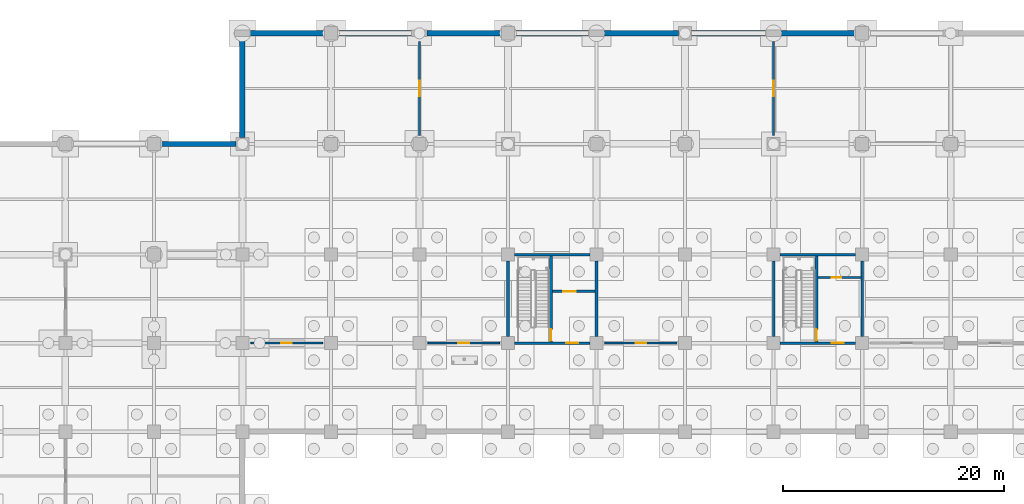
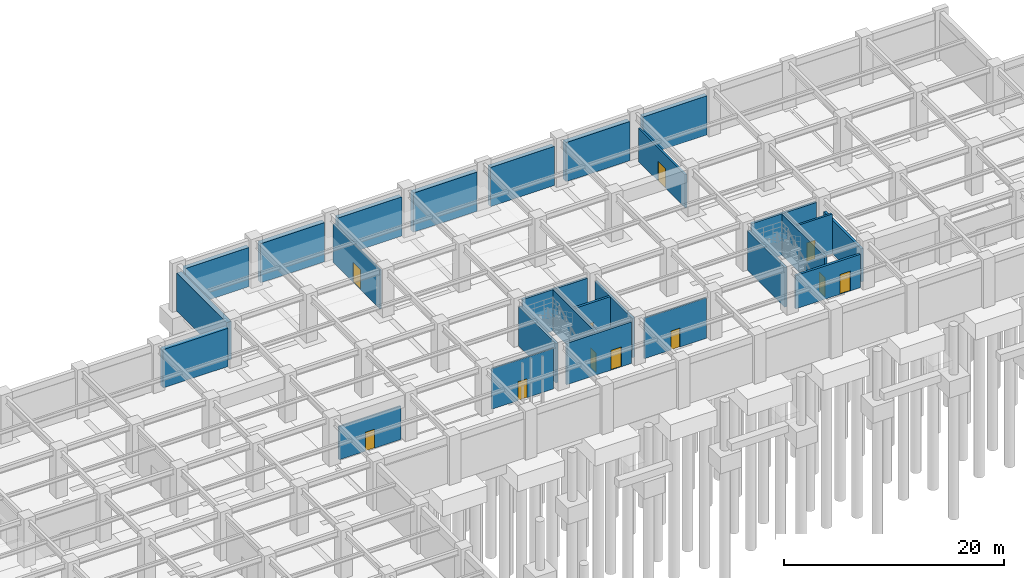
# One storey, part 81 of 97: 26 walls, 11 doors, 11 openings.
"""IFC4 building model written with IfcOpenShell, lengths in metres."""

from ifc_helpers import new_model, si_unit, direction, frame, frame_2d, origin, place, context, subcontext, project, spatial, rectangle, extrude, material, layer, layer_set, type_object, element, fill, save


model = new_model("IFC4")

# Units and contexts
model_context = context("Model", 3, precision=1e-05, world=origin(), true_north=direction((0.0, 1.0)))
body_context = subcontext(model_context, "Body", "Model", "MODEL_VIEW")
ifc_project = project(units=[si_unit("LENGTHUNIT", "METRE"), si_unit("AREAUNIT", "SQUARE_METRE"), si_unit("VOLUMEUNIT", "CUBIC_METRE"), si_unit("PLANEANGLEUNIT", "RADIAN"), si_unit("MASSUNIT", "GRAM", prefix="KILO")], contexts=[model_context])

# Site, building, storey
site_placement = place(None, origin())
site = spatial("IfcSite", under=ifc_project, at=site_placement, CompositionType="ELEMENT")
building_placement = place(site_placement, origin())
building = spatial("IfcBuilding", under=site, at=building_placement, Name="Haebicheon Civic Stadium", CompositionType="ELEMENT")
storey_placement = place(building_placement, frame((0.0, 0.0, -5.39990234375)))
storey = spatial("IfcBuildingStorey", under=building, at=storey_placement, Name="B1", CompositionType="ELEMENT", Elevation=-5.39990234375)

# Wall, opening, door
ifc_material_1 = material(Name="Concrete C40/50", Category="concrete")
ifc_layer_1 = layer(ifc_material_1, 0.239990234375, Name="Concrete C40/50")
ifc_layer_set_1 = layer_set([ifc_layer_1], Name="Concrete C40/50")
wall_type_1 = type_object("IfcWallType", Name="CW-SHR-240", PredefinedType="SHEAR", material=ifc_layer_set_1)
wall_1_placement = place(storey_placement, frame((88.60009765625, 160.0, 0.0), z_axis=(0.0, 0.0, 1.0), x_axis=(1.0, 0.0, 0.0)))
wall_1 = element("IfcWall", 1, at=wall_1_placement, inside=storey, type_object=wall_type_1, material=ifc_layer_set_1, Name="KC-08 B1 south core shear wall", PredefinedType="SHEAR", context=body_context, shape_type="SweptSolid", body=[
    extrude(rectangle(XDim=6.7998046875, YDim=0.239990234375, at=frame_2d((3.39990234375, 0.0))), origin(), (0.0, 0.0, 1.0), 4.58984375),
])
opening_1_placement = place(wall_1_placement, frame((4.64990234375, 0.0, 0.0)))
opening_1 = element("IfcOpeningElement", 2, at=opening_1_placement, cuts=wall_1, Name="Opening D-B1-KC-08-LOB", PredefinedType="OPENING", context=body_context, shape_type="SweptSolid", body=[
    extrude(rectangle(XDim=1.10009765625, YDim=2.199951171875, at=frame_2d((0.550048828125, 1.10009765625))), frame((0.0, 0.1298828125, 0.0), z_axis=(0.0, -1.0, 0.0), x_axis=(1.0, 0.0, 0.0)), (0.0, 0.0, 1.0), 0.260009765625),
])
ifc_material_2 = material(Name="Galvanised painted steel SM355", Category="steel")
door_type_1 = type_object("IfcDoorType", Name="ID-FD-1100", OperationType="NOTDEFINED", PredefinedType="DOOR", material=ifc_material_2)
door_1_placement = place(opening_1_placement, origin())
door_1 = element("IfcDoor", 3, at=door_1_placement, inside=storey, type_object=door_type_1, material=ifc_material_2, Name="B1 KC-08 lobby fire door", OperationType="SINGLE_SWING_RIGHT", OverallHeight=2.199951171875, OverallWidth=1.10009765625, PredefinedType="DOOR", context=body_context, shape_type="SweptSolid", body=[
    extrude(rectangle(XDim=1.10009765625, YDim=2.199951171875, at=frame_2d((0.550048828125, 1.10009765625))), frame((0.0, 0.02490234375, 0.0), z_axis=(0.0, -1.0, 0.0), x_axis=(1.0, 0.0, 0.0)), (0.0, 0.0, 1.0), 0.050048828125),
])
fill(opening_1, door_1)

# Walls
wall_2_placement = place(storey_placement, frame((88.60009765625, 168.0, 0.0), z_axis=(0.0, 0.0, 1.0), x_axis=(1.0, 0.0, 0.0)))
element("IfcWall", 4, at=wall_2_placement, inside=storey, type_object=wall_type_1, material=ifc_layer_set_1, Name="KC-08 B1 north core shear wall", PredefinedType="SHEAR", context=body_context, shape_type="SweptSolid", body=[
    extrude(rectangle(XDim=6.7998046875, YDim=0.239990234375, at=frame_2d((3.39990234375, 0.0))), origin(), (0.0, 0.0, 1.0), 4.58984375),
])
for number, where, z_axis, x_axis, name in (
    (5, (88.0, 160.60009765625, 0.0), (0.0, 0.0, 1.0), (0.0, 1.0, 0.0), "KC-08 B1 west core shear wall"),
    (6, (96.0, 160.60009765625, 0.0), (0.0, 0.0, 1.0), (0.0, 1.0, 0.0), "KC-08 B1 east core shear wall"),
):
    element("IfcWall", number, at=place(storey_placement, frame(where, z_axis=z_axis, x_axis=x_axis)), inside=storey, type_object=wall_type_1, material=ifc_layer_set_1, Name=name, PredefinedType="SHEAR", context=body_context, shape_type="SweptSolid", body=[
        extrude(rectangle(XDim=6.7998046875, YDim=0.239990234375, at=frame_2d((3.39990234375, 0.0))), origin(), (0.0, 0.0, 1.0), 4.389892578125),
    ])

# Wall, opening, door
wall_3_placement = place(storey_placement, frame((91.8798828125, 160.1201171875, 0.0), z_axis=(0.0, 0.0, 1.0), x_axis=(0.0, 1.0, 0.0)))
wall_3 = element("IfcWall", 7, at=wall_3_placement, inside=storey, type_object=wall_type_1, material=ifc_layer_set_1, Name="KC-08 B1 stair-lobby dividing shear wall", PredefinedType="SHEAR", context=body_context, shape_type="SweptSolid", body=[
    extrude(rectangle(XDim=7.759765625, YDim=0.239990234375, at=frame_2d((3.8798828125, 0.0))), origin(), (0.0, 0.0, 1.0), 4.58984375),
])
opening_2_placement = place(wall_3_placement, frame((0.080078125, 0.0, 0.0)))
opening_2 = element("IfcOpeningElement", 8, at=opening_2_placement, cuts=wall_3, Name="Opening D-B1-KC-08-STR", PredefinedType="OPENING", context=body_context, shape_type="SweptSolid", body=[
    extrude(rectangle(XDim=1.050048828125, YDim=2.14990234375, at=frame_2d((0.52490234375, 1.074951171875))), frame((0.0, 0.1298828125, 0.0), z_axis=(0.0, -1.0, 0.0), x_axis=(1.0, 0.0, 0.0)), (0.0, 0.0, 1.0), 0.260009765625),
])
ifc_material_3 = material(Name="Galvanised painted steel SM355", Category="steel")
door_type_2 = type_object("IfcDoorType", Name="ID-FD-1050", OperationType="NOTDEFINED", PredefinedType="DOOR", material=ifc_material_3)
door_2_placement = place(opening_2_placement, origin())
door_2 = element("IfcDoor", 9, at=door_2_placement, inside=storey, type_object=door_type_2, material=ifc_material_3, Name="B1 ST-08 stairwell escape door", OperationType="SINGLE_SWING_LEFT", OverallHeight=2.14990234375, OverallWidth=1.050048828125, PredefinedType="DOOR", context=body_context, shape_type="SweptSolid", body=[
    extrude(rectangle(XDim=1.050048828125, YDim=2.14990234375, at=frame_2d((0.52490234375, 1.074951171875))), frame((0.0, 0.02490234375, 0.0), z_axis=(0.0, -1.0, 0.0), x_axis=(1.0, 0.0, 0.0)), (0.0, 0.0, 1.0), 0.050048828125),
])
fill(opening_2, door_2)

wall_4_placement = place(storey_placement, frame((92.0, 164.679931640625, 0.0), z_axis=(0.0, 0.0, 1.0), x_axis=(1.0, 0.0, 0.0)))
wall_4 = element("IfcWall", 10, at=wall_4_placement, inside=storey, type_object=wall_type_1, material=ifc_layer_set_1, Name="KC-08 B1 lift shaft front wall", PredefinedType="SHEAR", context=body_context, shape_type="SweptSolid", body=[
    extrude(rectangle(XDim=3.8798828125, YDim=0.239990234375, at=frame_2d((1.93994140625, 0.0))), origin(), (0.0, 0.0, 1.0), 4.389892578125),
])
opening_3_placement = place(wall_4_placement, frame((1.0, 0.0, 0.0)))
opening_3 = element("IfcOpeningElement", 11, at=opening_3_placement, cuts=wall_4, Name="Opening LD-06-B1", PredefinedType="OPENING", context=body_context, shape_type="SweptSolid", body=[
    extrude(rectangle(XDim=1.10009765625, YDim=2.14990234375, at=frame_2d((0.550048828125, 1.074951171875))), frame((0.0, 0.1298828125, 0.0), z_axis=(0.0, -1.0, 0.0), x_axis=(1.0, 0.0, 0.0)), (0.0, 0.0, 1.0), 0.260009765625),
])
ifc_material_4 = material(Name="Stainless steel 316", Category="steel")
door_type_3 = type_object("IfcDoorType", Name="ID-LD-1100", OperationType="NOTDEFINED", PredefinedType="DOOR", material=ifc_material_4)
door_3_placement = place(opening_3_placement, origin())
door_3 = element("IfcDoor", 12, at=door_3_placement, inside=storey, type_object=door_type_3, material=ifc_material_4, Name="LF-06 lift landing sliding door B1", OperationType="SLIDING_TO_LEFT", OverallHeight=2.14990234375, OverallWidth=1.10009765625, PredefinedType="DOOR", context=body_context, shape_type="SweptSolid", body=[
    extrude(rectangle(XDim=1.10009765625, YDim=2.14990234375, at=frame_2d((0.550048828125, 1.074951171875))), frame((0.0, 0.02490234375, 0.0), z_axis=(0.0, -1.0, 0.0), x_axis=(1.0, 0.0, 0.0)), (0.0, 0.0, 1.0), 0.050048828125),
])
fill(opening_3, door_3)

wall_5_placement = place(storey_placement, frame((112.60009765625, 160.0, 0.0), z_axis=(0.0, 0.0, 1.0), x_axis=(1.0, 0.0, 0.0)))
wall_5 = element("IfcWall", 13, at=wall_5_placement, inside=storey, type_object=wall_type_1, material=ifc_layer_set_1, Name="KC-09 B1 south core shear wall", PredefinedType="SHEAR", context=body_context, shape_type="SweptSolid", body=[
    extrude(rectangle(XDim=6.7998046875, YDim=0.239990234375, at=frame_2d((3.39990234375, 0.0))), origin(), (0.0, 0.0, 1.0), 3.68994140625),
])
opening_4_placement = place(wall_5_placement, frame((4.64990234375, 0.0, 0.0)))
opening_4 = element("IfcOpeningElement", 14, at=opening_4_placement, cuts=wall_5, Name="Opening D-B1-KC-09-LOB", PredefinedType="OPENING", context=body_context, shape_type="SweptSolid", body=[
    extrude(rectangle(XDim=1.10009765625, YDim=2.199951171875, at=frame_2d((0.550048828125, 1.10009765625))), frame((0.0, 0.1298828125, 0.0), z_axis=(0.0, -1.0, 0.0), x_axis=(1.0, 0.0, 0.0)), (0.0, 0.0, 1.0), 0.260009765625),
])
door_4_placement = place(opening_4_placement, origin())
door_4 = element("IfcDoor", 15, at=door_4_placement, inside=storey, type_object=door_type_1, material=ifc_material_2, Name="B1 KC-09 lobby fire door", OperationType="SINGLE_SWING_LEFT", OverallHeight=2.199951171875, OverallWidth=1.10009765625, PredefinedType="DOOR", context=body_context, shape_type="SweptSolid", body=[
    extrude(rectangle(XDim=1.10009765625, YDim=2.199951171875, at=frame_2d((0.550048828125, 1.10009765625))), frame((0.0, 0.02490234375, 0.0), z_axis=(0.0, -1.0, 0.0), x_axis=(1.0, 0.0, 0.0)), (0.0, 0.0, 1.0), 0.050048828125),
])
fill(opening_4, door_4)

# Walls
wall_6_placement = place(storey_placement, frame((112.60009765625, 168.0, 0.0), z_axis=(0.0, 0.0, 1.0), x_axis=(1.0, 0.0, 0.0)))
element("IfcWall", 16, at=wall_6_placement, inside=storey, type_object=wall_type_1, material=ifc_layer_set_1, Name="KC-09 B1 north core shear wall", PredefinedType="SHEAR", context=body_context, shape_type="SweptSolid", body=[
    extrude(rectangle(XDim=6.7998046875, YDim=0.239990234375, at=frame_2d((3.39990234375, 0.0))), origin(), (0.0, 0.0, 1.0), 4.58984375),
])
wall_7_placement = place(storey_placement, frame((112.0, 160.60009765625, 0.0), z_axis=(0.0, 0.0, 1.0), x_axis=(0.0, 1.0, 0.0)))
element("IfcWall", 17, at=wall_7_placement, inside=storey, type_object=wall_type_1, material=ifc_layer_set_1, Name="KC-09 B1 west core shear wall", PredefinedType="SHEAR", context=body_context, shape_type="SweptSolid", body=[
    extrude(rectangle(XDim=6.7998046875, YDim=0.239990234375, at=frame_2d((3.39990234375, 0.0))), origin(), (0.0, 0.0, 1.0), 4.389892578125),
])
wall_8_placement = place(storey_placement, frame((120.0, 160.60009765625, 0.0), z_axis=(0.0, 0.0, 1.0), x_axis=(0.0, 1.0, 0.0)))
element("IfcWall", 18, at=wall_8_placement, inside=storey, type_object=wall_type_1, material=ifc_layer_set_1, Name="KC-09 B1 east core shear wall", PredefinedType="SHEAR", context=body_context, shape_type="SweptSolid", body=[
    extrude(rectangle(XDim=6.7998046875, YDim=0.239990234375, at=frame_2d((3.39990234375, 0.0))), origin(), (0.0, 0.0, 1.0), 3.68994140625),
])

# Wall, opening, door
wall_9_placement = place(storey_placement, frame((115.8798828125, 160.1201171875, 0.0), z_axis=(0.0, 0.0, 1.0), x_axis=(0.0, 1.0, 0.0)))
wall_9 = element("IfcWall", 19, at=wall_9_placement, inside=storey, type_object=wall_type_1, material=ifc_layer_set_1, Name="KC-09 B1 stair-lobby dividing shear wall", PredefinedType="SHEAR", context=body_context, shape_type="SweptSolid", body=[
    extrude(rectangle(XDim=7.759765625, YDim=0.239990234375, at=frame_2d((3.8798828125, 0.0))), origin(), (0.0, 0.0, 1.0), 4.58984375),
])
opening_5_placement = place(wall_9_placement, frame((0.080078125, 0.0, 0.0)))
opening_5 = element("IfcOpeningElement", 20, at=opening_5_placement, cuts=wall_9, Name="Opening D-B1-KC-09-STR", PredefinedType="OPENING", context=body_context, shape_type="SweptSolid", body=[
    extrude(rectangle(XDim=1.050048828125, YDim=2.14990234375, at=frame_2d((0.52490234375, 1.074951171875))), frame((0.0, 0.1298828125, 0.0), z_axis=(0.0, -1.0, 0.0), x_axis=(1.0, 0.0, 0.0)), (0.0, 0.0, 1.0), 0.260009765625),
])
door_5_placement = place(opening_5_placement, origin())
door_5 = element("IfcDoor", 21, at=door_5_placement, inside=storey, type_object=door_type_2, material=ifc_material_3, Name="B1 ST-09 stairwell escape door", OperationType="SINGLE_SWING_RIGHT", OverallHeight=2.14990234375, OverallWidth=1.050048828125, PredefinedType="DOOR", context=body_context, shape_type="SweptSolid", body=[
    extrude(rectangle(XDim=1.050048828125, YDim=2.14990234375, at=frame_2d((0.52490234375, 1.074951171875))), frame((0.0, 0.02490234375, 0.0), z_axis=(0.0, -1.0, 0.0), x_axis=(1.0, 0.0, 0.0)), (0.0, 0.0, 1.0), 0.050048828125),
])
fill(opening_5, door_5)

# Walls
ifc_material_5 = material(Name="Concrete C40/50", Category="concrete")
ifc_layer_2 = layer(ifc_material_5, 0.4599609375, Name="Concrete C40/50")
ifc_layer_set_2 = layer_set([ifc_layer_2], Name="Concrete C40/50")
wall_type_2 = type_object("IfcWallType", Name="EW-RET-460", PredefinedType="STANDARD", material=ifc_layer_set_2)
wall_10_placement = place(storey_placement, frame((56.60009765625, 178.0, 0.0), z_axis=(0.0, 0.0, 1.0), x_axis=(1.0, 0.0, 0.0)))
element("IfcWall", 22, at=wall_10_placement, inside=storey, type_object=wall_type_2, material=ifc_layer_set_2, Name="B1 retaining wall 07-22-N", PredefinedType="STANDARD", context=body_context, shape_type="SweptSolid", body=[
    extrude(rectangle(XDim=6.7998046875, YDim=0.4599609375, at=frame_2d((3.39990234375, 0.0))), origin(), (0.0, 0.0, 1.0), 4.239990234375),
])
for number, where, z_axis, x_axis, name in (
    (23, (64.699951171875, 188.0, 0.0), (0.0, 0.0, 1.0), (1.0, 0.0, 0.0), "B1 retaining wall 08-23-N"),
    (24, (80.699951171875, 188.0, 0.0), (0.0, 0.0, 1.0), (1.0, 0.0, 0.0), "B1 retaining wall 10-23-N"),
    (25, (96.699951171875, 188.0, 0.0), (0.0, 0.0, 1.0), (1.0, 0.0, 0.0), "B1 retaining wall 12-23-N"),
    (26, (112.699951171875, 188.0, 0.0), (0.0, 0.0, 1.0), (1.0, 0.0, 0.0), "B1 retaining wall 14-23-N"),
):
    element("IfcWall", number, at=place(storey_placement, frame(where, z_axis=z_axis, x_axis=x_axis)), inside=storey, type_object=wall_type_2, material=ifc_layer_set_2, Name=name, PredefinedType="STANDARD", context=body_context, shape_type="SweptSolid", body=[
        extrude(rectangle(XDim=6.699951171875, YDim=0.4599609375, at=frame_2d((3.35009765625, 0.0))), origin(), (0.0, 0.0, 1.0), 4.33984375),
    ])
ifc_material_6 = material(Name="Concrete C40/50", Category="concrete")
ifc_layer_3 = layer(ifc_material_6, 0.5, Name="Concrete C40/50")
ifc_layer_set_3 = layer_set([ifc_layer_3], Name="Concrete C40/50")
wall_type_3 = type_object("IfcWallType", Name="EW-RET-500", PredefinedType="STANDARD", material=ifc_layer_set_3)
wall_11_placement = place(storey_placement, frame((64.0, 178.60009765625, 0.0), z_axis=(0.0, 0.0, 1.0), x_axis=(0.0, 1.0, 0.0)))
element("IfcWall", 27, at=wall_11_placement, inside=storey, type_object=wall_type_3, material=ifc_layer_set_3, Name="B1 retaining wall 08-22-W", PredefinedType="STANDARD", context=body_context, shape_type="SweptSolid", body=[
    extrude(rectangle(XDim=9.099853515625, YDim=0.5, at=frame_2d((4.5498046875, 0.0))), origin(), (0.0, 0.0, 1.0), 4.239990234375),
])
for number, where, z_axis, x_axis, name in (
    (28, (72.60009765625, 188.0, 0.0), (0.0, 0.0, 1.0), (1.0, 0.0, 0.0), "B1 retaining wall 09-23-N"),
    (29, (88.60009765625, 188.0, 0.0), (0.0, 0.0, 1.0), (1.0, 0.0, 0.0), "B1 retaining wall 11-23-N"),
    (30, (104.60009765625, 188.0, 0.0), (0.0, 0.0, 1.0), (1.0, 0.0, 0.0), "B1 retaining wall 13-23-N"),
):
    element("IfcWall", number, at=place(storey_placement, frame(where, z_axis=z_axis, x_axis=x_axis)), inside=storey, type_object=wall_type_3, material=ifc_layer_set_3, Name=name, PredefinedType="STANDARD", context=body_context, shape_type="SweptSolid", body=[
        extrude(rectangle(XDim=6.699951171875, YDim=0.5, at=frame_2d((3.35009765625, 0.0))), origin(), (0.0, 0.0, 1.0), 4.33984375),
    ])

# Wall, opening, door
ifc_material_7 = material(Name="Concrete C35/45", Category="concrete")
ifc_layer_4 = layer(ifc_material_7, 0.199951171875, Name="Concrete C35/45")
ifc_layer_set_4 = layer_set([ifc_layer_4], Name="Concrete C35/45")
wall_type_4 = type_object("IfcWallType", Name="IW-FIR-200", PredefinedType="PARTITIONING", material=ifc_layer_set_4)
wall_12_placement = place(storey_placement, frame((116.0, 165.919921875, 0.0), z_axis=(0.0, 0.0, 1.0), x_axis=(1.0, 0.0, 0.0)))
wall_12 = element("IfcWall", 31, at=wall_12_placement, inside=storey, type_object=wall_type_4, material=ifc_layer_set_4, Name="KC-09 B1 service riser wall", PredefinedType="PARTITIONING", context=body_context, shape_type="SweptSolid", body=[
    extrude(rectangle(XDim=3.8798828125, YDim=0.199951171875, at=frame_2d((1.93994140625, 0.0))), origin(), (0.0, 0.0, 1.0), 4.389892578125),
])
opening_6_placement = place(wall_12_placement, frame((1.25, 0.0, 0.0)))
opening_6 = element("IfcOpeningElement", 32, at=opening_6_placement, cuts=wall_12, Name="Opening D-B1-KC-09-RSR", PredefinedType="OPENING", context=body_context, shape_type="SweptSolid", body=[
    extrude(rectangle(XDim=0.85009765625, YDim=2.050048828125, at=frame_2d((0.425048828125, 1.02490234375))), frame((0.0, 0.10986328125, 0.0), z_axis=(0.0, -1.0, 0.0), x_axis=(1.0, 0.0, 0.0)), (0.0, 0.0, 1.0), 0.219970703125),
])
ifc_material_8 = material(Name="Galvanised painted steel SM355", Category="steel")
door_type_4 = type_object("IfcDoorType", Name="ID-RSR-0850", OperationType="NOTDEFINED", PredefinedType="TRAPDOOR", material=ifc_material_8)
door_6_placement = place(opening_6_placement, origin())
door_6 = element("IfcDoor", 33, at=door_6_placement, inside=storey, type_object=door_type_4, material=ifc_material_8, Name="B1 KC-09 riser access door", OperationType="SINGLE_SWING_LEFT", OverallHeight=2.050048828125, OverallWidth=0.85009765625, PredefinedType="TRAPDOOR", context=body_context, shape_type="SweptSolid", body=[
    extrude(rectangle(XDim=0.85009765625, YDim=2.050048828125, at=frame_2d((0.425048828125, 1.02490234375))), frame((0.0, 0.02490234375, 0.0), z_axis=(0.0, -1.0, 0.0), x_axis=(1.0, 0.0, 0.0)), (0.0, 0.0, 1.0), 0.050048828125),
])
fill(opening_6, door_6)

ifc_material_9 = material(Name="Concrete C35/45", Category="concrete")
ifc_layer_5 = layer(ifc_material_9, 0.159912109375, Name="Concrete C35/45")
ifc_layer_set_5 = layer_set([ifc_layer_5], Name="Concrete C35/45")
wall_type_5 = type_object("IfcWallType", Name="IW-PRT-160", PredefinedType="PARTITIONING", material=ifc_layer_set_5)
wall_13_placement = place(storey_placement, frame((64.75, 160.0, 0.0), z_axis=(0.0, 0.0, 1.0), x_axis=(1.0, 0.0, 0.0)))
wall_13 = element("IfcWall", 34, at=wall_13_placement, inside=storey, type_object=wall_type_5, material=ifc_layer_set_5, Name="B1 Stadium Kit and Equipment Store partition wall", PredefinedType="PARTITIONING", context=body_context, shape_type="SweptSolid", body=[
    extrude(rectangle(XDim=6.5, YDim=0.159912109375, at=frame_2d((3.25, 0.0))), origin(), (0.0, 0.0, 1.0), 3.68994140625),
])
opening_7_placement = place(wall_13_placement, frame((2.77490234375, 0.0, 0.0)))
opening_7 = element("IfcOpeningElement", 35, at=opening_7_placement, cuts=wall_13, Name="Opening D-B1-031", PredefinedType="OPENING", context=body_context, shape_type="SweptSolid", body=[
    extrude(rectangle(XDim=0.949951171875, YDim=2.10009765625, at=frame_2d((0.47509765625, 1.050048828125))), frame((0.0, 0.08984375, 0.0), z_axis=(0.0, -1.0, 0.0), x_axis=(1.0, 0.0, 0.0)), (0.0, 0.0, 1.0), 0.179931640625),
])
ifc_material_10 = material(Name="Engineered hardwood timber", Category="wood")
door_type_5 = type_object("IfcDoorType", Name="ID-RM-0950", OperationType="NOTDEFINED", PredefinedType="DOOR", material=ifc_material_10)
door_7_placement = place(opening_7_placement, origin())
door_7 = element("IfcDoor", 36, at=door_7_placement, inside=storey, type_object=door_type_5, material=ifc_material_10, Name="B1 Stadium Kit and Equipment Store entrance door D-B1-031", OperationType="SINGLE_SWING_LEFT", OverallHeight=2.10009765625, OverallWidth=0.949951171875, PredefinedType="DOOR", context=body_context, shape_type="SweptSolid", body=[
    extrude(rectangle(XDim=0.949951171875, YDim=2.10009765625, at=frame_2d((0.47509765625, 1.050048828125))), frame((0.0, 0.02490234375, 0.0), z_axis=(0.0, -1.0, 0.0), x_axis=(1.0, 0.0, 0.0)), (0.0, 0.0, 1.0), 0.050048828125),
])
fill(opening_7, door_7)

wall_14_placement = place(storey_placement, frame((80.75, 160.0, 0.0), z_axis=(0.0, 0.0, 1.0), x_axis=(1.0, 0.0, 0.0)))
wall_14 = element("IfcWall", 37, at=wall_14_placement, inside=storey, type_object=wall_type_5, material=ifc_layer_set_5, Name="B1 Stadium Kit and Equipment Store partition wall", PredefinedType="PARTITIONING", context=body_context, shape_type="SweptSolid", body=[
    extrude(rectangle(XDim=6.5, YDim=0.159912109375, at=frame_2d((3.25, 0.0))), origin(), (0.0, 0.0, 1.0), 4.489990234375),
])
opening_8_placement = place(wall_14_placement, frame((2.77490234375, 0.0, 0.0)))
opening_8 = element("IfcOpeningElement", 38, at=opening_8_placement, cuts=wall_14, Name="Opening D-B1-033", PredefinedType="OPENING", context=body_context, shape_type="SweptSolid", body=[
    extrude(rectangle(XDim=0.949951171875, YDim=2.10009765625, at=frame_2d((0.47509765625, 1.050048828125))), frame((0.0, 0.08984375, 0.0), z_axis=(0.0, -1.0, 0.0), x_axis=(1.0, 0.0, 0.0)), (0.0, 0.0, 1.0), 0.179931640625),
])
door_8_placement = place(opening_8_placement, origin())
door_8 = element("IfcDoor", 39, at=door_8_placement, inside=storey, type_object=door_type_5, material=ifc_material_10, Name="B1 Stadium Kit and Equipment Store entrance door D-B1-033", OperationType="SINGLE_SWING_LEFT", OverallHeight=2.10009765625, OverallWidth=0.949951171875, PredefinedType="DOOR", context=body_context, shape_type="SweptSolid", body=[
    extrude(rectangle(XDim=0.949951171875, YDim=2.10009765625, at=frame_2d((0.47509765625, 1.050048828125))), frame((0.0, 0.02490234375, 0.0), z_axis=(0.0, -1.0, 0.0), x_axis=(1.0, 0.0, 0.0)), (0.0, 0.0, 1.0), 0.050048828125),
])
fill(opening_8, door_8)

wall_15_placement = place(storey_placement, frame((96.75, 160.0, 0.0), z_axis=(0.0, 0.0, 1.0), x_axis=(1.0, 0.0, 0.0)))
wall_15 = element("IfcWall", 40, at=wall_15_placement, inside=storey, type_object=wall_type_5, material=ifc_layer_set_5, Name="B1 Stadium Kit and Equipment Store partition wall", PredefinedType="PARTITIONING", context=body_context, shape_type="SweptSolid", body=[
    extrude(rectangle(XDim=6.5, YDim=0.159912109375, at=frame_2d((3.25, 0.0))), origin(), (0.0, 0.0, 1.0), 4.489990234375),
])
opening_9_placement = place(wall_15_placement, frame((2.77490234375, 0.0, 0.0)))
opening_9 = element("IfcOpeningElement", 41, at=opening_9_placement, cuts=wall_15, Name="Opening D-B1-035", PredefinedType="OPENING", context=body_context, shape_type="SweptSolid", body=[
    extrude(rectangle(XDim=0.949951171875, YDim=2.10009765625, at=frame_2d((0.47509765625, 1.050048828125))), frame((0.0, 0.08984375, 0.0), z_axis=(0.0, -1.0, 0.0), x_axis=(1.0, 0.0, 0.0)), (0.0, 0.0, 1.0), 0.179931640625),
])
door_9_placement = place(opening_9_placement, origin())
door_9 = element("IfcDoor", 42, at=door_9_placement, inside=storey, type_object=door_type_5, material=ifc_material_10, Name="B1 Stadium Kit and Equipment Store entrance door D-B1-035", OperationType="SINGLE_SWING_LEFT", OverallHeight=2.10009765625, OverallWidth=0.949951171875, PredefinedType="DOOR", context=body_context, shape_type="SweptSolid", body=[
    extrude(rectangle(XDim=0.949951171875, YDim=2.10009765625, at=frame_2d((0.47509765625, 1.050048828125))), frame((0.0, 0.02490234375, 0.0), z_axis=(0.0, -1.0, 0.0), x_axis=(1.0, 0.0, 0.0)), (0.0, 0.0, 1.0), 0.050048828125),
])
fill(opening_9, door_9)

ifc_material_11 = material(Name="Concrete C35/45", Category="concrete")
ifc_layer_6 = layer(ifc_material_11, 0.179931640625, Name="Concrete C35/45")
ifc_layer_set_6 = layer_set([ifc_layer_6], Name="Concrete C35/45")
wall_type_6 = type_object("IfcWallType", Name="IW-PRT-180", PredefinedType="PARTITIONING", material=ifc_layer_set_6)
wall_16_placement = place(storey_placement, frame((80.0, 178.75, 0.0), z_axis=(0.0, 0.0, 1.0), x_axis=(0.0, 1.0, 0.0)))
wall_16 = element("IfcWall", 43, at=wall_16_placement, inside=storey, type_object=wall_type_6, material=ifc_layer_set_6, Name="B1 Electrical Substation Plant partition wall", PredefinedType="PARTITIONING", context=body_context, shape_type="SweptSolid", body=[
    extrude(rectangle(XDim=8.5, YDim=0.179931640625, at=frame_2d((4.25, 0.0))), origin(), (0.0, 0.0, 1.0), 4.289794921875),
])
opening_10_placement = place(wall_16_placement, frame((3.550048828125, 0.0, 0.0)))
opening_10 = element("IfcOpeningElement", 44, at=opening_10_placement, cuts=wall_16, Name="Opening D-B1-034", PredefinedType="OPENING", context=body_context, shape_type="SweptSolid", body=[
    extrude(rectangle(XDim=1.39990234375, YDim=2.199951171875, at=frame_2d((0.699951171875, 1.10009765625))), frame((0.0, 0.099853515625, 0.0), z_axis=(0.0, -1.0, 0.0), x_axis=(1.0, 0.0, 0.0)), (0.0, 0.0, 1.0), 0.199951171875),
])
ifc_material_12 = material(Name="Galvanised painted steel SM355", Category="steel")
door_type_6 = type_object("IfcDoorType", Name="ID-PLT-1400", OperationType="NOTDEFINED", PredefinedType="DOOR", material=ifc_material_12)
door_10_placement = place(opening_10_placement, origin())
door_10 = element("IfcDoor", 45, at=door_10_placement, inside=storey, type_object=door_type_6, material=ifc_material_12, Name="B1 Electrical Substation Plant entrance door D-B1-034", OperationType="SINGLE_SWING_RIGHT", OverallHeight=2.199951171875, OverallWidth=1.39990234375, PredefinedType="DOOR", context=body_context, shape_type="SweptSolid", body=[
    extrude(rectangle(XDim=1.39990234375, YDim=2.199951171875, at=frame_2d((0.699951171875, 1.10009765625))), frame((0.0, 0.02490234375, 0.0), z_axis=(0.0, -1.0, 0.0), x_axis=(1.0, 0.0, 0.0)), (0.0, 0.0, 1.0), 0.050048828125),
])
fill(opening_10, door_10)

wall_17_placement = place(storey_placement, frame((112.0, 178.75, 0.0), z_axis=(0.0, 0.0, 1.0), x_axis=(0.0, 1.0, 0.0)))
wall_17 = element("IfcWall", 46, at=wall_17_placement, inside=storey, type_object=wall_type_6, material=ifc_layer_set_6, Name="B1 Electrical Substation Plant partition wall", PredefinedType="PARTITIONING", context=body_context, shape_type="SweptSolid", body=[
    extrude(rectangle(XDim=8.5, YDim=0.179931640625, at=frame_2d((4.25, 0.0))), origin(), (0.0, 0.0, 1.0), 3.68994140625),
])
opening_11_placement = place(wall_17_placement, frame((3.550048828125, 0.0, 0.0)))
opening_11 = element("IfcOpeningElement", 47, at=opening_11_placement, cuts=wall_17, Name="Opening D-B1-038", PredefinedType="OPENING", context=body_context, shape_type="SweptSolid", body=[
    extrude(rectangle(XDim=1.39990234375, YDim=2.199951171875, at=frame_2d((0.699951171875, 1.10009765625))), frame((0.0, 0.099853515625, 0.0), z_axis=(0.0, -1.0, 0.0), x_axis=(1.0, 0.0, 0.0)), (0.0, 0.0, 1.0), 0.199951171875),
])
door_11_placement = place(opening_11_placement, origin())
door_11 = element("IfcDoor", 48, at=door_11_placement, inside=storey, type_object=door_type_6, material=ifc_material_12, Name="B1 Electrical Substation Plant entrance door D-B1-038", OperationType="SINGLE_SWING_RIGHT", OverallHeight=2.199951171875, OverallWidth=1.39990234375, PredefinedType="DOOR", context=body_context, shape_type="SweptSolid", body=[
    extrude(rectangle(XDim=1.39990234375, YDim=2.199951171875, at=frame_2d((0.699951171875, 1.10009765625))), frame((0.0, 0.02490234375, 0.0), z_axis=(0.0, -1.0, 0.0), x_axis=(1.0, 0.0, 0.0)), (0.0, 0.0, 1.0), 0.050048828125),
])
fill(opening_11, door_11)

save(model, "model.ifc")
